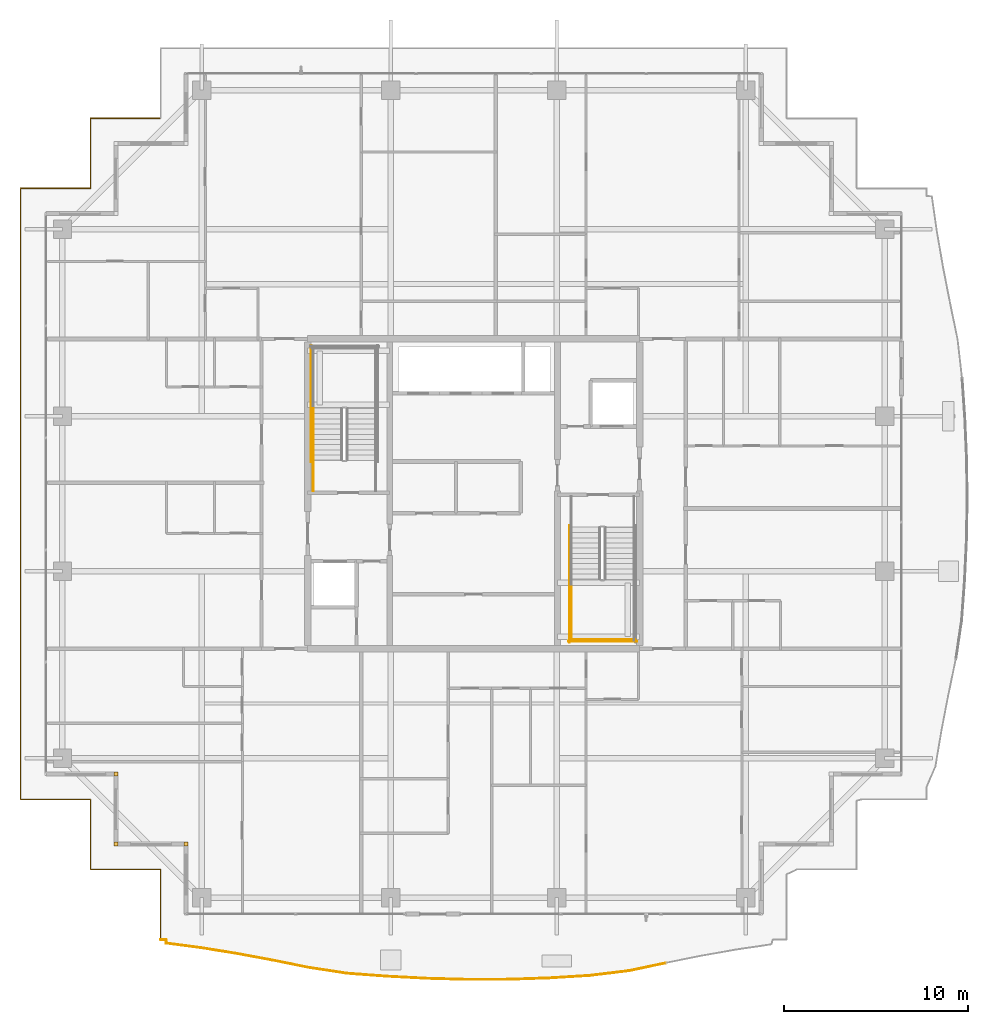
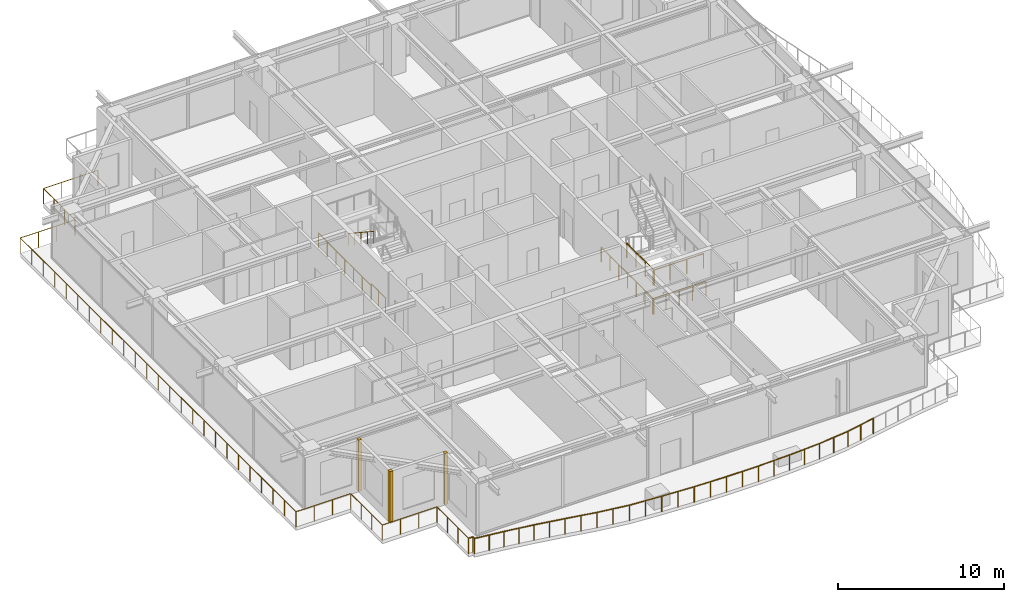
# One storey, part 38 of 42: 10 railings, 3 coverings.
"""IFC4 building model written with IfcOpenShell, lengths in metres."""

import ifcopenshell
import ifcopenshell.guid

model = None  # the IFC model being written
_history = None  # IfcOwnerHistory: only IFC2X3 demands one
_inside = {}  # id of a spatial element -> (the spatial element, [elements in it])
_under = {}  # id of a project, library or spatial element -> (it, [spatial elements below it])
_declared = {}  # id of a project -> (the project, [libraries it declares])
_typed = {}  # id of a type object -> (the type object, [elements of that type])
_made_of = {}  # id of a material, layer set ... -> (it, [elements and type objects made of it])


def new_model(schema):
    """Start an empty IFC model of exactly this schema.

    Asked for "IFC4X3", IfcOpenShell would pick the latest addendum, in which some entities
    have other attributes; the version numbers below select the first issue.
    IFC2X3 requires an IfcOwnerHistory on every rooted entity: one is made here for all.
    """
    global model, _history
    if schema == "IFC4X3":
        model = ifcopenshell.file(schema_version=(4, 3, 0, 0))
    else:
        model = ifcopenshell.file(schema=schema)
    _inside.clear()
    _under.clear()
    _declared.clear()
    _typed.clear()
    _made_of.clear()
    _history = None
    if model.schema == "IFC2X3":
        org = make("IfcOrganization", Name="unknown")
        user = make(
            "IfcPersonAndOrganization",
            ThePerson=make("IfcPerson", FamilyName="unknown"),
            TheOrganization=org,
        )
        app = make(
            "IfcApplication",
            ApplicationDeveloper=org,
            Version="unknown",
            ApplicationFullName="unknown",
            ApplicationIdentifier="unknown",
        )
        _history = make(
            "IfcOwnerHistory",
            OwningUser=user,
            OwningApplication=app,
            ChangeAction="ADDED",
            CreationDate=0,
        )
    return model


def make(cls, **values):
    """One entity of the class cls with the attributes given. An attribute that is None is left unset."""
    return model.create_entity(
        cls, **{name: value for name, value in values.items() if value is not None}
    )


def rooted(cls, **values):
    """An entity with a GlobalId (a new one), such as an element, a storey or a relation."""
    return make(cls, GlobalId=ifcopenshell.guid.new(), OwnerHistory=_history, **values)


def si_unit(unit_type, name, prefix=None):
    """IfcSIUnit, for example si_unit("LENGTHUNIT", "METRE", prefix="MILLI")."""
    return make("IfcSIUnit", UnitType=unit_type, Prefix=prefix, Name=name)


def assignment(units):
    """IfcUnitAssignment: the units of a project."""
    return None if units is None else make("IfcUnitAssignment", Units=units)


def point(xyz):
    """IfcCartesianPoint."""
    return None if xyz is None else make("IfcCartesianPoint", Coordinates=xyz)


def direction(xyz):
    """IfcDirection."""
    return None if xyz is None else make("IfcDirection", DirectionRatios=xyz)


def frame(location, z_axis=None, x_axis=None):
    """IfcAxis2Placement3D, a coordinate frame: its origin and axes. An axis left out is left unset."""
    return make(
        "IfcAxis2Placement3D",
        Location=point(location),
        Axis=direction(z_axis),
        RefDirection=direction(x_axis),
    )


def frame_2d(location, x_axis=None):
    """IfcAxis2Placement2D, a coordinate frame in the plane: its origin and x axis."""
    return make(
        "IfcAxis2Placement2D", Location=point(location), RefDirection=direction(x_axis)
    )


def origin():
    """The frame at (0, 0, 0) with its axes left unset."""
    return frame((0.0, 0.0, 0.0))


def origin_2d():
    """The frame at (0, 0) in the plane with its x axis left unset."""
    return frame_2d((0.0, 0.0))


def place(relative_to, where):
    """IfcLocalPlacement: puts the frame where relative to a parent placement (None: the world)."""
    return make(
        "IfcLocalPlacement", PlacementRelTo=relative_to, RelativePlacement=where
    )


def context(
    kind, dimensions, precision=None, world=None, true_north=None, identifier=None
):
    """IfcGeometricRepresentationContext, for example the 3D "Model" context."""
    return make(
        "IfcGeometricRepresentationContext",
        ContextIdentifier=identifier,
        ContextType=kind,
        CoordinateSpaceDimension=dimensions,
        Precision=precision,
        WorldCoordinateSystem=world,
        TrueNorth=true_north,
    )


def subcontext(parent, identifier, kind, view, scale=None):
    """IfcGeometricRepresentationSubContext, for example "Body" below "Model"."""
    return make(
        "IfcGeometricRepresentationSubContext",
        ContextIdentifier=identifier,
        ContextType=kind,
        ParentContext=parent,
        TargetScale=scale,
        TargetView=view,
    )


def project(units=None, contexts=None):
    """IfcProject with its units and contexts."""
    return rooted(
        "IfcProject",
        Name="project",
        RepresentationContexts=contexts,
        UnitsInContext=assignment(units),
    )


def spatial(cls, under=None, at=None, **own):
    """A site, building, storey or space (cls), placed at a placement, below another one or the project."""
    s = rooted(cls, ObjectPlacement=at, **own)
    if under is not None:
        _under.setdefault(under.id(), (under, []))[1].append(s)
    return s


def profile(cls, at=None, kind="AREA", **sizes):
    """A parametric profile (cls). Its sizes go by their IFC names, for example OverallWidth=200.0."""
    return make(cls, ProfileType=kind, Position=at, **sizes)


def rectangle(**sizes):
    """IfcRectangleProfileDef."""
    return profile("IfcRectangleProfileDef", **sizes)


def circle(**sizes):
    """IfcCircleProfileDef."""
    return profile("IfcCircleProfileDef", **sizes)


def extrude(swept, where, along, depth):
    """IfcExtrudedAreaSolid: the profile swept, set in the frame where, extruded along a direction by depth."""
    return make(
        "IfcExtrudedAreaSolid",
        SweptArea=swept,
        Position=where,
        ExtrudedDirection=direction(along),
        Depth=depth,
    )


def shape(context_of_items, identifier, shape_type, items):
    """IfcShapeRepresentation: the items that make up one representation, for example the "Body"."""
    return make(
        "IfcShapeRepresentation",
        ContextOfItems=context_of_items,
        RepresentationIdentifier=identifier,
        RepresentationType=shape_type,
        Items=items,
    )


def source(mapping_origin, context_of_items, identifier, shape_type, items):
    """IfcRepresentationMap: a shape defined once, which mapped items show again and again."""
    return make(
        "IfcRepresentationMap",
        MappingOrigin=mapping_origin,
        MappedRepresentation=shape(context_of_items, identifier, shape_type, items),
    )


def transform(
    local_origin,
    x_axis=None,
    y_axis=None,
    z_axis=None,
    scale=None,
    scale2=None,
    scale3=None,
    uniform=True,
):
    """IfcCartesianTransformationOperator3D, or its non-uniform kind. x_axis, y_axis, z_axis: its Axis1, 2, 3."""
    if uniform:
        return make(
            "IfcCartesianTransformationOperator3D",
            Axis1=direction(x_axis),
            Axis2=direction(y_axis),
            LocalOrigin=point(local_origin),
            Scale=scale,
            Axis3=direction(z_axis),
        )
    return make(
        "IfcCartesianTransformationOperator3DnonUniform",
        Axis1=direction(x_axis),
        Axis2=direction(y_axis),
        LocalOrigin=point(local_origin),
        Scale=scale,
        Axis3=direction(z_axis),
        Scale2=scale2,
        Scale3=scale3,
    )


def mapped(mapping_source, mapping_target):
    """IfcMappedItem: shows the shape of a source again, moved by a transform."""
    return make(
        "IfcMappedItem", MappingSource=mapping_source, MappingTarget=mapping_target
    )


def material(Name=None, Category=None):
    """IfcMaterial."""
    return make("IfcMaterial", Name=Name, Category=Category)


def layer(
    of_material, thickness, ventilated=None, Name=None, Category=None, Priority=None
):
    """IfcMaterialLayer: one layer of a wall or slab, of a material (None: an air gap)."""
    return make(
        "IfcMaterialLayer",
        Material=of_material,
        LayerThickness=thickness,
        IsVentilated=ventilated,
        Name=Name,
        Category=Category,
        Priority=Priority,
    )


def layer_set(layers, Name=None):
    """IfcMaterialLayerSet."""
    return make("IfcMaterialLayerSet", MaterialLayers=layers, LayerSetName=Name)


def made_of(thing, what):
    """Note that an element or type object is made of a material, layer set ...; save() writes the relation."""
    if what is not None:
        _made_of.setdefault(what.id(), (what, []))[1].append(thing)
    return thing


def type_object(cls, material=None, **own):
    """A type object (cls), such as IfcWallType, which elements share."""
    return made_of(rooted(cls, **own), material)


def element(
    cls,
    number,
    at=None,
    inside=None,
    cuts=None,
    type_object=None,
    material=None,
    context=None,
    identifier="Body",
    shape_type=None,
    held_by="IfcProductDefinitionShape",
    body=None,
    shapes=None,
    **own,
):
    """One element of the class cls, such as IfcWall. Its Tag is "e" and its number.

    at: its placement. inside: the storey or other place that contains it. cuts: it is an
    opening in that element (IfcRelVoidsElement). A single representation is given by context,
    identifier, shape_type and body (its items); several are given by shapes. held_by: the class
    of the entity that holds the representations. save() writes the other relations.
    """
    e = rooted(cls, Tag="e%d" % number, ObjectPlacement=at, **own)
    if body is not None:
        shapes = [shape(context, identifier, shape_type, body)]
    if shapes is not None:
        e.Representation = make(held_by, Representations=shapes)
    if inside is not None:
        _inside.setdefault(inside.id(), (inside, []))[1].append(e)
    if cuts is not None:
        rooted(
            "IfcRelVoidsElement", RelatingBuildingElement=cuts, RelatedOpeningElement=e
        )
    if type_object is not None:
        _typed.setdefault(type_object.id(), (type_object, []))[1].append(e)
    return made_of(e, material)


def aggregate(whole, parts):
    """IfcRelAggregates: a whole, such as a stair, and the parts it consists of."""
    return rooted("IfcRelAggregates", RelatingObject=whole, RelatedObjects=parts)


def save(model, path):
    """Write the relations noted so far, then the file.

    IfcRelAggregates (storeys below a building ...), IfcRelContainedInSpatialStructure (elements
    in a storey), IfcRelDefinesByType, IfcRelAssociatesMaterial and IfcRelDeclares: one each for
    every whole, place, type object, material and project.
    """
    for whole, parts in _under.values():
        aggregate(whole, parts)
    for where, things in _inside.values():
        rooted(
            "IfcRelContainedInSpatialStructure",
            RelatedElements=things,
            RelatingStructure=where,
        )
    for kind, things in _typed.values():
        rooted("IfcRelDefinesByType", RelatedObjects=things, RelatingType=kind)
    for what, things in _made_of.values():
        rooted("IfcRelAssociatesMaterial", RelatedObjects=things, RelatingMaterial=what)
    for by, libraries in _declared.values():
        rooted("IfcRelDeclares", RelatingContext=by, RelatedDefinitions=libraries)
    model.write(path)


model = new_model("IFC4")

# Units and contexts
model_context = context("Model", 3, precision=1e-05, world=origin(), true_north=direction((0.0, 1.0)))
body_context = subcontext(model_context, "Body", "Model", "MODEL_VIEW")
ifc_project = project(units=[si_unit("LENGTHUNIT", "METRE"), si_unit("AREAUNIT", "SQUARE_METRE"), si_unit("VOLUMEUNIT", "CUBIC_METRE"), si_unit("PLANEANGLEUNIT", "RADIAN"), si_unit("MASSUNIT", "GRAM", prefix="KILO")], contexts=[model_context])

# Site, building, storey
site_placement = place(None, origin())
site = spatial("IfcSite", under=ifc_project, at=site_placement, CompositionType="ELEMENT")
building_placement = place(site_placement, origin())
building = spatial("IfcBuilding", under=site, at=building_placement, Name="Serunith Strait Residences", CompositionType="ELEMENT")
storey_placement = place(building_placement, frame((0.0, 0.0, 325.85009765625)))
storey = spatial("IfcBuildingStorey", under=building, at=storey_placement, Name="L81", CompositionType="ELEMENT", Elevation=325.85009765625)

# Railings
ifc_material_1 = material(Name="Stainless Steel & Laminated Glass Balustrade", Category="steel")
railing_type_1 = type_object("IfcRailingType", Name="RLG-BALC-1150", PredefinedType="BALUSTRADE", material=ifc_material_1)
railing_1_placement = place(storey_placement, frame((15.419921875, 1.02001953125, -0.050048828125)))
element("IfcRailing", 1, at=railing_1_placement, inside=storey, type_object=railing_type_1, Name="L81 Swirling Balcony Perimeter Balustrade 1", PredefinedType="BALUSTRADE", context=body_context, shape_type="SweptSolid", body=[
    extrude(circle(Radius=0.02392578125, at=origin_2d()), frame((0.0, 0.001953125, 1.1259765625), z_axis=(0.0, 1.0, 0.0), x_axis=(-1.0, 0.0, 0.0)), (0.0, 0.0, 1.0), 3.796142578125),
    extrude(circle(Radius=0.02392578125, at=origin_2d()), frame((-0.001953125, 3.800048828125, 1.1259765625), z_axis=(-1.0, 0.0, 0.0), x_axis=(0.0, -1.0, 0.0)), (0.0, 0.0, 1.0), 3.7958984375),
    extrude(circle(Radius=0.02392578125, at=origin_2d()), frame((-3.7998046875, 3.802001953125, 1.1259765625), z_axis=(0.0, 1.0, 0.0), x_axis=(-1.0, 0.0, 0.0)), (0.0, 0.0, 1.0), 3.796142578125),
    extrude(circle(Radius=0.02392578125, at=origin_2d()), frame((-3.8017578125, 7.60009765625, 1.1259765625), z_axis=(-1.0, 0.0, 0.0), x_axis=(0.0, -1.0, 0.0)), (0.0, 0.0, 1.0), 3.796142578125),
    extrude(circle(Radius=0.02392578125, at=origin_2d()), frame((-7.599853515625, 7.60205078125, 1.1259765625), z_axis=(0.0, 1.0, 0.0), x_axis=(-1.0, 0.0, 0.0)), (0.0, 0.0, 1.0), 33.156005859375),
    extrude(circle(Radius=0.02392578125, at=origin_2d()), frame((-7.597900390625, 40.760009765625, 1.1259765625), z_axis=(1.0, 0.0, 0.0), x_axis=(0.0, 1.0, 0.0)), (0.0, 0.0, 1.0), 3.796142578125),
    extrude(circle(Radius=0.02392578125, at=origin_2d()), frame((-3.7998046875, 40.761962890625, 1.1259765625), z_axis=(0.0, 1.0, 0.0), x_axis=(-1.0, 0.0, 0.0)), (0.0, 0.0, 1.0), 3.796142578125),
    extrude(circle(Radius=0.02392578125, at=origin_2d()), frame((-3.7978515625, 44.56005859375, 1.1259765625), z_axis=(1.0, 0.0, 0.0), x_axis=(0.0, 1.0, 0.0)), (0.0, 0.0, 1.0), 3.783447265625),
    extrude(circle(Radius=0.02099609375, at=origin_2d()), origin(), (0.0, 0.0, 1.0), 1.099853515625),
    extrude(circle(Radius=0.02099609375, at=origin_2d()), frame((0.0, 1.2666015625, 0.0)), (0.0, 0.0, 1.0), 1.099853515625),
    extrude(circle(Radius=0.02099609375, at=origin_2d()), frame((0.0, 2.533447265625, 0.0)), (0.0, 0.0, 1.0), 1.099853515625),
    extrude(circle(Radius=0.02099609375, at=origin_2d()), frame((0.0, 3.800048828125, 0.0)), (0.0, 0.0, 1.0), 1.099853515625),
    extrude(circle(Radius=0.02099609375, at=origin_2d()), frame((-1.2666015625, 3.800048828125, 0.0)), (0.0, 0.0, 1.0), 1.099853515625),
    extrude(circle(Radius=0.02099609375, at=origin_2d()), frame((-2.533203125, 3.800048828125, 0.0)), (0.0, 0.0, 1.0), 1.099853515625),
    extrude(circle(Radius=0.02099609375, at=origin_2d()), frame((-3.7998046875, 3.800048828125, 0.0)), (0.0, 0.0, 1.0), 1.099853515625),
    extrude(circle(Radius=0.02099609375, at=origin_2d()), frame((-3.7998046875, 5.066650390625, 0.0)), (0.0, 0.0, 1.0), 1.099853515625),
    extrude(circle(Radius=0.02099609375, at=origin_2d()), frame((-3.7998046875, 6.33349609375, 0.0)), (0.0, 0.0, 1.0), 1.099853515625),
    extrude(circle(Radius=0.02099609375, at=origin_2d()), frame((-3.7998046875, 7.60009765625, 0.0)), (0.0, 0.0, 1.0), 1.099853515625),
    extrude(circle(Radius=0.02099609375, at=origin_2d()), frame((-5.06640625, 7.60009765625, 0.0)), (0.0, 0.0, 1.0), 1.099853515625),
    extrude(circle(Radius=0.02099609375, at=origin_2d()), frame((-6.333251953125, 7.60009765625, 0.0)), (0.0, 0.0, 1.0), 1.099853515625),
    extrude(circle(Radius=0.02099609375, at=origin_2d()), frame((-7.599853515625, 7.60009765625, 0.0)), (0.0, 0.0, 1.0), 1.099853515625),
    extrude(circle(Radius=0.02099609375, at=origin_2d()), frame((-7.599853515625, 8.981689453125, 0.0)), (0.0, 0.0, 1.0), 1.099853515625),
    extrude(circle(Radius=0.02099609375, at=origin_2d()), frame((-7.599853515625, 10.363525390625, 0.0)), (0.0, 0.0, 1.0), 1.099853515625),
    extrude(circle(Radius=0.02099609375, at=origin_2d()), frame((-7.599853515625, 11.7451171875, 0.0)), (0.0, 0.0, 1.0), 1.099853515625),
    extrude(circle(Radius=0.02099609375, at=origin_2d()), frame((-7.599853515625, 13.126708984375, 0.0)), (0.0, 0.0, 1.0), 1.099853515625),
    extrude(circle(Radius=0.02099609375, at=origin_2d()), frame((-7.599853515625, 14.50830078125, 0.0)), (0.0, 0.0, 1.0), 1.099853515625),
    extrude(circle(Radius=0.02099609375, at=origin_2d()), frame((-7.599853515625, 15.89013671875, 0.0)), (0.0, 0.0, 1.0), 1.099853515625),
    extrude(circle(Radius=0.02099609375, at=origin_2d()), frame((-7.599853515625, 17.271728515625, 0.0)), (0.0, 0.0, 1.0), 1.099853515625),
    extrude(circle(Radius=0.02099609375, at=origin_2d()), frame((-7.599853515625, 18.6533203125, 0.0)), (0.0, 0.0, 1.0), 1.099853515625),
    extrude(circle(Radius=0.02099609375, at=origin_2d()), frame((-7.599853515625, 20.03515625, 0.0)), (0.0, 0.0, 1.0), 1.099853515625),
    extrude(circle(Radius=0.02099609375, at=origin_2d()), frame((-7.599853515625, 21.416748046875, 0.0)), (0.0, 0.0, 1.0), 1.099853515625),
    extrude(circle(Radius=0.02099609375, at=origin_2d()), frame((-7.599853515625, 22.79833984375, 0.0)), (0.0, 0.0, 1.0), 1.099853515625),
    extrude(circle(Radius=0.02099609375, at=origin_2d()), frame((-7.599853515625, 24.18017578125, 0.0)), (0.0, 0.0, 1.0), 1.099853515625),
    extrude(circle(Radius=0.02099609375, at=origin_2d()), frame((-7.599853515625, 25.561767578125, 0.0)), (0.0, 0.0, 1.0), 1.099853515625),
    extrude(circle(Radius=0.02099609375, at=origin_2d()), frame((-7.599853515625, 26.943359375, 0.0)), (0.0, 0.0, 1.0), 1.099853515625),
    extrude(circle(Radius=0.02099609375, at=origin_2d()), frame((-7.599853515625, 28.324951171875, 0.0)), (0.0, 0.0, 1.0), 1.099853515625),
    extrude(circle(Radius=0.02099609375, at=origin_2d()), frame((-7.599853515625, 29.706787109375, 0.0)), (0.0, 0.0, 1.0), 1.099853515625),
    extrude(circle(Radius=0.02099609375, at=origin_2d()), frame((-7.599853515625, 31.08837890625, 0.0)), (0.0, 0.0, 1.0), 1.099853515625),
    extrude(circle(Radius=0.02099609375, at=origin_2d()), frame((-7.599853515625, 32.469970703125, 0.0)), (0.0, 0.0, 1.0), 1.099853515625),
    extrude(circle(Radius=0.02099609375, at=origin_2d()), frame((-7.599853515625, 33.851806640625, 0.0)), (0.0, 0.0, 1.0), 1.099853515625),
    extrude(circle(Radius=0.02099609375, at=origin_2d()), frame((-7.599853515625, 35.2333984375, 0.0)), (0.0, 0.0, 1.0), 1.099853515625),
    extrude(circle(Radius=0.02099609375, at=origin_2d()), frame((-7.599853515625, 36.614990234375, 0.0)), (0.0, 0.0, 1.0), 1.099853515625),
    extrude(circle(Radius=0.02099609375, at=origin_2d()), frame((-7.599853515625, 37.99658203125, 0.0)), (0.0, 0.0, 1.0), 1.099853515625),
    extrude(circle(Radius=0.02099609375, at=origin_2d()), frame((-7.599853515625, 39.37841796875, 0.0)), (0.0, 0.0, 1.0), 1.099853515625),
    extrude(circle(Radius=0.02099609375, at=origin_2d()), frame((-7.599853515625, 40.760009765625, 0.0)), (0.0, 0.0, 1.0), 1.099853515625),
    extrude(circle(Radius=0.02099609375, at=origin_2d()), frame((-6.333251953125, 40.760009765625, 0.0)), (0.0, 0.0, 1.0), 1.099853515625),
    extrude(circle(Radius=0.02099609375, at=origin_2d()), frame((-5.06640625, 40.760009765625, 0.0)), (0.0, 0.0, 1.0), 1.099853515625),
    extrude(circle(Radius=0.02099609375, at=origin_2d()), frame((-3.7998046875, 40.760009765625, 0.0)), (0.0, 0.0, 1.0), 1.099853515625),
    extrude(circle(Radius=0.02099609375, at=origin_2d()), frame((-3.7998046875, 42.026611328125, 0.0)), (0.0, 0.0, 1.0), 1.099853515625),
    extrude(circle(Radius=0.02099609375, at=origin_2d()), frame((-3.7998046875, 43.29345703125, 0.0)), (0.0, 0.0, 1.0), 1.099853515625),
    extrude(circle(Radius=0.02099609375, at=origin_2d()), frame((-3.7998046875, 44.56005859375, 0.0)), (0.0, 0.0, 1.0), 1.099853515625),
    extrude(circle(Radius=0.02099609375, at=origin_2d()), frame((-2.537353515625, 44.56005859375, 0.0)), (0.0, 0.0, 1.0), 1.099853515625),
    extrude(circle(Radius=0.02099609375, at=origin_2d()), frame((-1.27490234375, 44.56005859375, 0.0)), (0.0, 0.0, 1.0), 1.099853515625),
    extrude(circle(Radius=0.02099609375, at=origin_2d()), frame((-0.012451171875, 44.56005859375, 0.0)), (0.0, 0.0, 1.0), 1.099853515625),
])
railing_2_placement = place(storey_placement, frame((42.802001953125, -0.256103515625, -0.050048828125)))
element("IfcRailing", 2, at=railing_2_placement, inside=storey, type_object=railing_type_1, Name="L81 Swirling Balcony Perimeter Balustrade 7", PredefinedType="BALUSTRADE", context=body_context, shape_type="SweptSolid", body=[
    extrude(circle(Radius=0.02392578125, at=origin_2d()), frame((-0.001953125, -0.00048828125, 1.1259765625), z_axis=(-0.978558641863, -0.205968406398, 0.0), x_axis=(0.205968406398, -0.978558641863, 0.0)), (0.0, 0.0, 1.0), 2.04296875),
    extrude(circle(Radius=0.02392578125, at=origin_2d()), frame((-2.005126953125, -0.421875, 1.1259765625), z_axis=(-0.992935306445, -0.118656972887, 0.0), x_axis=(0.118656972887, -0.992935306445, 0.0)), (0.0, 0.0, 1.0), 2.12548828125),
    extrude(circle(Radius=0.02392578125, at=origin_2d()), frame((-4.11962890625, -0.674560546875, 1.1259765625), z_axis=(-0.998086856361, -0.061827398127, 0.0), x_axis=(0.061827398127, -0.998086856361, 0.0)), (0.0, 0.0, 1.0), 2.17578125),
    extrude(circle(Radius=0.02392578125, at=origin_2d()), frame((-6.295166015625, -0.80908203125, 1.1259765625), z_axis=(-0.999429058018, -0.033786949977, 0.0), x_axis=(0.033786949977, -0.999429058018, 0.0)), (0.0, 0.0, 1.0), 2.199951171875),
    extrude(circle(Radius=0.02392578125, at=origin_2d()), frame((-8.497802734375, -0.883544921875, 1.1259765625), z_axis=(-0.99999523494, -0.003087085621, 0.0), x_axis=(0.003087085621, -0.99999523494, 0.0)), (0.0, 0.0, 1.0), 2.21044921875),
    extrude(circle(Radius=0.02392578125, at=origin_2d()), frame((-10.712158203125, -0.890380859375, 1.1259765625), z_axis=(-0.999645457833, 0.026626277115, 0.0), x_axis=(-0.026626277115, -0.999645457833, 0.0)), (0.0, 0.0, 1.0), 2.205810546875),
    extrude(circle(Radius=0.02392578125, at=origin_2d()), frame((-12.921142578125, -0.83154296875, 1.1259765625), z_axis=(-0.998605805477, 0.052786790654, 0.0), x_axis=(-0.052786790654, -0.998605805477, 0.0)), (0.0, 0.0, 1.0), 2.188232421875),
    extrude(circle(Radius=0.02099609375, at=origin_2d()), origin(), (0.0, 0.0, 1.0), 1.099853515625),
    extrude(circle(Radius=0.02099609375, at=origin_2d()), frame((-1.00146484375, -0.2109375, 0.0)), (0.0, 0.0, 1.0), 1.099853515625),
    extrude(circle(Radius=0.02099609375, at=origin_2d()), frame((-2.003173828125, -0.421630859375, 0.0)), (0.0, 0.0, 1.0), 1.099853515625),
    extrude(circle(Radius=0.02099609375, at=origin_2d()), frame((-3.060546875, -0.5478515625, 0.0)), (0.0, 0.0, 1.0), 1.099853515625),
    extrude(circle(Radius=0.02099609375, at=origin_2d()), frame((-4.11767578125, -0.67431640625, 0.0)), (0.0, 0.0, 1.0), 1.099853515625),
    extrude(circle(Radius=0.02099609375, at=origin_2d()), frame((-5.20556640625, -0.74169921875, 0.0)), (0.0, 0.0, 1.0), 1.099853515625),
    extrude(circle(Radius=0.02099609375, at=origin_2d()), frame((-6.293212890625, -0.80908203125, 0.0)), (0.0, 0.0, 1.0), 1.099853515625),
    extrude(circle(Radius=0.02099609375, at=origin_2d()), frame((-7.39453125, -0.84619140625, 0.0)), (0.0, 0.0, 1.0), 1.099853515625),
    extrude(circle(Radius=0.02099609375, at=origin_2d()), frame((-8.495849609375, -0.883544921875, 0.0)), (0.0, 0.0, 1.0), 1.099853515625),
    extrude(circle(Radius=0.02099609375, at=origin_2d()), frame((-9.60302734375, -0.886962890625, 0.0)), (0.0, 0.0, 1.0), 1.099853515625),
    extrude(circle(Radius=0.02099609375, at=origin_2d()), frame((-10.710205078125, -0.890380859375, 0.0)), (0.0, 0.0, 1.0), 1.099853515625),
    extrude(circle(Radius=0.02099609375, at=origin_2d()), frame((-11.814697265625, -0.86083984375, 0.0)), (0.0, 0.0, 1.0), 1.099853515625),
    extrude(circle(Radius=0.02099609375, at=origin_2d()), frame((-12.919189453125, -0.83154296875, 0.0)), (0.0, 0.0, 1.0), 1.099853515625),
    extrude(circle(Radius=0.02099609375, at=origin_2d()), frame((-14.013671875, -0.773681640625, 0.0)), (0.0, 0.0, 1.0), 1.099853515625),
    extrude(circle(Radius=0.02099609375, at=origin_2d()), frame((-15.1083984375, -0.7158203125, 0.0)), (0.0, 0.0, 1.0), 1.099853515625),
])
railing_3_placement = place(storey_placement, frame((27.693603515625, -0.971923828125, -0.050048828125)))
element("IfcRailing", 3, at=railing_3_placement, inside=storey, type_object=railing_type_1, Name="L81 Swirling Balcony Perimeter Balustrade 8", PredefinedType="BALUSTRADE", context=body_context, shape_type="SweptSolid", body=[
    extrude(circle(Radius=0.02392578125, at=origin_2d()), frame((-0.001953125, 0.000244140625, 1.1259765625), z_axis=(-0.997282204337, 0.073676352464, 0.0), x_axis=(-0.073676352464, -0.997282204337, 0.0)), (0.0, 0.0, 1.0), 2.159912109375),
    extrude(circle(Radius=0.02392578125, at=origin_2d()), frame((-2.159912109375, 0.15966796875, 1.1259765625), z_axis=(-0.988481628367, 0.151340907824, 0.0), x_axis=(-0.151340907824, -0.988481628367, 0.0)), (0.0, 0.0, 1.0), 2.096435546875),
    extrude(circle(Radius=0.02392578125, at=origin_2d()), frame((-4.236083984375, 0.477783203125, 1.1259765625), z_axis=(-0.980297076649, 0.197528837167, 0.0), x_axis=(-0.197528837167, -0.980297076649, 0.0)), (0.0, 0.0, 1.0), 2.02294921875),
    extrude(circle(Radius=0.02392578125, at=origin_2d()), frame((-6.22314453125, 0.878173828125, 1.1259765625), z_axis=(-0.983092776762, 0.183108143671, 0.0), x_axis=(-0.183108143671, -0.983092776762, 0.0)), (0.0, 0.0, 1.0), 1.96923828125),
    extrude(circle(Radius=0.02392578125, at=origin_2d()), frame((-8.1630859375, 1.2392578125, 1.1259765625), z_axis=(-0.987357873292, 0.158506876977, 0.0), x_axis=(-0.158506876977, -0.987357873292, 0.0)), (0.0, 0.0, 1.0), 1.93212890625),
    extrude(circle(Radius=0.02392578125, at=origin_2d()), frame((-10.07470703125, 1.546142578125, 1.1259765625), z_axis=(-0.991428244687, 0.130652346465, 0.0), x_axis=(-0.130652346465, -0.991428244687, 0.0)), (0.0, 0.0, 1.0), 1.911376953125),
    extrude(circle(Radius=0.02392578125, at=origin_2d()), frame((-11.9716796875, 1.798095703125, 1.1259765625), z_axis=(0.007481087404, 0.999972016274, 0.0), x_axis=(-0.999972016274, 0.007481087404, 0.0)), (0.0, 0.0, 1.0), 0.19189453125),
    extrude(circle(Radius=0.02392578125, at=origin_2d()), frame((-11.97216796875, 1.991943359375, 1.1259765625), z_axis=(-1.0, 0.0, 0.0), x_axis=(0.0, -1.0, 0.0)), (0.0, 0.0, 1.0), 0.299560546875),
    extrude(circle(Radius=0.02099609375, at=origin_2d()), origin(), (0.0, 0.0, 1.0), 1.099853515625),
    extrude(circle(Radius=0.02099609375, at=origin_2d()), frame((-1.0791015625, 0.07958984375, 0.0)), (0.0, 0.0, 1.0), 1.099853515625),
    extrude(circle(Radius=0.02099609375, at=origin_2d()), frame((-2.157958984375, 0.159423828125, 0.0)), (0.0, 0.0, 1.0), 1.099853515625),
    extrude(circle(Radius=0.02099609375, at=origin_2d()), frame((-3.196044921875, 0.318359375, 0.0)), (0.0, 0.0, 1.0), 1.099853515625),
    extrude(circle(Radius=0.02099609375, at=origin_2d()), frame((-4.234130859375, 0.477294921875, 0.0)), (0.0, 0.0, 1.0), 1.099853515625),
    extrude(circle(Radius=0.02099609375, at=origin_2d()), frame((-5.2275390625, 0.677490234375, 0.0)), (0.0, 0.0, 1.0), 1.099853515625),
    extrude(circle(Radius=0.02099609375, at=origin_2d()), frame((-6.22119140625, 0.877685546875, 0.0)), (0.0, 0.0, 1.0), 1.099853515625),
    extrude(circle(Radius=0.02099609375, at=origin_2d()), frame((-7.191162109375, 1.058349609375, 0.0)), (0.0, 0.0, 1.0), 1.099853515625),
    extrude(circle(Radius=0.02099609375, at=origin_2d()), frame((-8.1611328125, 1.239013671875, 0.0)), (0.0, 0.0, 1.0), 1.099853515625),
    extrude(circle(Radius=0.02099609375, at=origin_2d()), frame((-9.116943359375, 1.392578125, 0.0)), (0.0, 0.0, 1.0), 1.099853515625),
    extrude(circle(Radius=0.02099609375, at=origin_2d()), frame((-10.07275390625, 1.5458984375, 0.0)), (0.0, 0.0, 1.0), 1.099853515625),
    extrude(circle(Radius=0.02099609375, at=origin_2d()), frame((-11.022216796875, 1.6708984375, 0.0)), (0.0, 0.0, 1.0), 1.099853515625),
    extrude(circle(Radius=0.02099609375, at=origin_2d()), frame((-11.9716796875, 1.796142578125, 0.0)), (0.0, 0.0, 1.0), 1.099853515625),
    extrude(circle(Radius=0.02099609375, at=origin_2d()), frame((-11.97021484375, 1.991943359375, 0.0)), (0.0, 0.0, 1.0), 1.099853515625),
    extrude(circle(Radius=0.02099609375, at=origin_2d()), frame((-12.273681640625, 1.991943359375, 0.0)), (0.0, 0.0, 1.0), 1.099853515625),
])
ifc_material_2 = material(Name="Brushed stainless steel 316L", Category="steel")
railing_type_2 = type_object("IfcRailingType", Name="RLG-STAIR-GUARD", PredefinedType="BALUSTRADE", material=ifc_material_2)
railing_4_placement = place(storey_placement, frame((23.699951171875, 25.35009765625, 0.0)))
element("IfcRailing", 4, at=railing_4_placement, inside=storey, type_object=railing_type_2, Name="L81 ST-1 stair guard 9", PredefinedType="BALUSTRADE", context=body_context, shape_type="SweptSolid", body=[
    extrude(circle(Radius=0.02392578125, at=origin_2d()), frame((0.0, 0.001953125, 1.076171875), z_axis=(0.0, 1.0, 0.0), x_axis=(-1.0, 0.0, 0.0)), (0.0, 0.0, 1.0), 1.676025390625),
    extrude(circle(Radius=0.02099609375, at=origin_2d()), origin(), (0.0, 0.0, 1.0), 1.050048828125),
    extrude(circle(Radius=0.02099609375, at=origin_2d()), frame((0.0, 0.83984375, 0.0)), (0.0, 0.0, 1.0), 1.050048828125),
    extrude(circle(Radius=0.02099609375, at=origin_2d()), frame((0.0, 1.679931640625, 0.0)), (0.0, 0.0, 1.0), 1.050048828125),
])
railing_5_placement = place(storey_placement, frame((23.60009765625, 26.929931640625, 0.0)))
element("IfcRailing", 5, at=railing_5_placement, inside=storey, type_object=railing_type_2, Name="L81 ST-1 stair guard 11", PredefinedType="BALUSTRADE", context=body_context, shape_type="SweptSolid", body=[
    extrude(circle(Radius=0.02392578125, at=origin_2d()), frame((0.0, 0.001953125, 1.076171875), z_axis=(0.0, 1.0, 0.0), x_axis=(-1.0, 0.0, 0.0)), (0.0, 0.0, 1.0), 6.316162109375),
    extrude(circle(Radius=0.02099609375, at=origin_2d()), origin(), (0.0, 0.0, 1.0), 1.050048828125),
    extrude(circle(Radius=0.02099609375, at=origin_2d()), frame((0.0, 1.05322265625, 0.0)), (0.0, 0.0, 1.0), 1.050048828125),
    extrude(circle(Radius=0.02099609375, at=origin_2d()), frame((0.0, 2.106689453125, 0.0)), (0.0, 0.0, 1.0), 1.050048828125),
    extrude(circle(Radius=0.02099609375, at=origin_2d()), frame((0.0, 3.16015625, 0.0)), (0.0, 0.0, 1.0), 1.050048828125),
    extrude(circle(Radius=0.02099609375, at=origin_2d()), frame((0.0, 4.21337890625, 0.0)), (0.0, 0.0, 1.0), 1.050048828125),
    extrude(circle(Radius=0.02099609375, at=origin_2d()), frame((0.0, 5.2666015625, 0.0)), (0.0, 0.0, 1.0), 1.050048828125),
    extrude(circle(Radius=0.02099609375, at=origin_2d()), frame((0.0, 6.320068359375, 0.0)), (0.0, 0.0, 1.0), 1.050048828125),
])
railing_6_placement = place(storey_placement, frame((37.699951171875, 20.570068359375, 2.02490234375)))
element("IfcRailing", 6, at=railing_6_placement, inside=storey, type_object=railing_type_2, Name="L81 ST-2 stair guard 3", PredefinedType="BALUSTRADE", context=body_context, shape_type="SweptSolid", body=[
    extrude(circle(Radius=0.02392578125, at=origin_2d()), frame((0.0, -0.001953125, 1.076171875), z_axis=(0.0, -1.0, 0.0), x_axis=(1.0, 0.0, 0.0)), (0.0, 0.0, 1.0), 3.316162109375),
    extrude(circle(Radius=0.02099609375, at=origin_2d()), origin(), (0.0, 0.0, 1.0), 1.050048828125),
    extrude(circle(Radius=0.02099609375, at=origin_2d()), frame((0.0, -1.106689453125, 0.0)), (0.0, 0.0, 1.0), 1.050048828125),
    extrude(circle(Radius=0.02099609375, at=origin_2d()), frame((0.0, -2.21337890625, 0.0)), (0.0, 0.0, 1.0), 1.050048828125),
    extrude(circle(Radius=0.02099609375, at=origin_2d()), frame((0.0, -3.320068359375, 0.0)), (0.0, 0.0, 1.0), 1.050048828125),
])
railing_7_placement = place(storey_placement, frame((37.64990234375, 17.300048828125, 2.02490234375)))
element("IfcRailing", 7, at=railing_7_placement, inside=storey, type_object=railing_type_2, Name="L81 ST-2 stair guard 5", PredefinedType="BALUSTRADE", context=body_context, shape_type="SweptSolid", body=[
    extrude(circle(Radius=0.02392578125, at=origin_2d()), frame((0.001953125, 0.0, 1.076171875), z_axis=(1.0, 0.0, 0.0), x_axis=(0.0, 1.0, 0.0)), (0.0, 0.0, 1.0), 3.49609375),
    extrude(circle(Radius=0.02099609375, at=origin_2d()), origin(), (0.0, 0.0, 1.0), 1.050048828125),
    extrude(circle(Radius=0.02099609375, at=origin_2d()), frame((1.166748046875, 0.0, 0.0)), (0.0, 0.0, 1.0), 1.050048828125),
    extrude(circle(Radius=0.02099609375, at=origin_2d()), frame((2.333251953125, 0.0, 0.0)), (0.0, 0.0, 1.0), 1.050048828125),
    extrude(circle(Radius=0.02099609375, at=origin_2d()), frame((3.5, 0.0, 0.0)), (0.0, 0.0, 1.0), 1.050048828125),
])
railing_8_placement = place(storey_placement, frame((37.60009765625, 23.469970703125, 0.0)))
element("IfcRailing", 8, at=railing_8_placement, inside=storey, type_object=railing_type_2, Name="L81 ST-2 stair guard 10", PredefinedType="BALUSTRADE", context=body_context, shape_type="SweptSolid", body=[
    extrude(circle(Radius=0.02392578125, at=origin_2d()), frame((0.0, -0.001953125, 1.076171875), z_axis=(0.0, -1.0, 0.0), x_axis=(1.0, 0.0, 0.0)), (0.0, 0.0, 1.0), 6.316162109375),
    extrude(circle(Radius=0.02099609375, at=origin_2d()), origin(), (0.0, 0.0, 1.0), 1.050048828125),
    extrude(circle(Radius=0.02099609375, at=origin_2d()), frame((0.0, -1.05322265625, 0.0)), (0.0, 0.0, 1.0), 1.050048828125),
    extrude(circle(Radius=0.02099609375, at=origin_2d()), frame((0.0, -2.106689453125, 0.0)), (0.0, 0.0, 1.0), 1.050048828125),
    extrude(circle(Radius=0.02099609375, at=origin_2d()), frame((0.0, -3.16015625, 0.0)), (0.0, 0.0, 1.0), 1.050048828125),
    extrude(circle(Radius=0.02099609375, at=origin_2d()), frame((0.0, -4.21337890625, 0.0)), (0.0, 0.0, 1.0), 1.050048828125),
    extrude(circle(Radius=0.02099609375, at=origin_2d()), frame((0.0, -5.2666015625, 0.0)), (0.0, 0.0, 1.0), 1.050048828125),
    extrude(circle(Radius=0.02099609375, at=origin_2d()), frame((0.0, -6.320068359375, 0.0)), (0.0, 0.0, 1.0), 1.050048828125),
])
railing_9_placement = place(storey_placement, frame((37.550048828125, 17.199951171875, 0.0)))
element("IfcRailing", 9, at=railing_9_placement, inside=storey, type_object=railing_type_2, Name="L81 ST-2 stair guard 12", PredefinedType="BALUSTRADE", context=body_context, shape_type="SweptSolid", body=[
    extrude(circle(Radius=0.02392578125, at=origin_2d()), frame((0.001953125, 0.0, 1.076171875), z_axis=(1.0, 0.0, 0.0), x_axis=(0.0, 1.0, 0.0)), (0.0, 0.0, 1.0), 3.696044921875),
    extrude(circle(Radius=0.02099609375, at=origin_2d()), origin(), (0.0, 0.0, 1.0), 1.050048828125),
    extrude(circle(Radius=0.02099609375, at=origin_2d()), frame((0.925048828125, 0.0, 0.0)), (0.0, 0.0, 1.0), 1.050048828125),
    extrude(circle(Radius=0.02099609375, at=origin_2d()), frame((1.85009765625, 0.0, 0.0)), (0.0, 0.0, 1.0), 1.050048828125),
    extrude(circle(Radius=0.02099609375, at=origin_2d()), frame((2.77490234375, 0.0, 0.0)), (0.0, 0.0, 1.0), 1.050048828125),
    extrude(circle(Radius=0.02099609375, at=origin_2d()), frame((3.699951171875, 0.0, 0.0)), (0.0, 0.0, 1.0), 1.050048828125),
])
railing_type_3 = type_object("IfcRailingType", Name="RLG-STAIR-HR", PredefinedType="HANDRAIL", material=ifc_material_2)
railing_10_placement = place(storey_placement, frame((23.699951171875, 29.830078125, 2.208984375)))
element("IfcRailing", 10, at=railing_10_placement, inside=storey, type_object=railing_type_3, Name="L81 ST-1 stair handrail 2", PredefinedType="HANDRAIL", context=body_context, shape_type="SweptSolid", body=[
    extrude(circle(Radius=0.02392578125, at=origin_2d()), frame((0.0, -0.001708984375, 0.876953125), z_axis=(0.0, -0.83496096917, 0.550309167616), x_axis=(1.0, 0.0, 0.0)), (0.0, 0.0, 1.0), 3.684814453125),
    extrude(circle(Radius=0.02099609375, at=origin_2d()), origin(), (0.0, 0.0, 1.0), 0.849853515625),
    extrude(circle(Radius=0.02099609375, at=origin_2d()), frame((0.0, -0.77001953125, 0.507568359375)), (0.0, 0.0, 1.0), 0.849853515625),
    extrude(circle(Radius=0.02099609375, at=origin_2d()), frame((0.0, -1.5400390625, 1.01513671875)), (0.0, 0.0, 1.0), 0.849853515625),
    extrude(circle(Radius=0.02099609375, at=origin_2d()), frame((0.0, -2.31005859375, 1.5224609375)), (0.0, 0.0, 1.0), 0.849853515625),
    extrude(circle(Radius=0.02099609375, at=origin_2d()), frame((0.0, -3.080078125, 2.030029296875)), (0.0, 0.0, 1.0), 0.849853515625),
])

# Coverings
ifc_material_3 = material(Name="Pale-Champagne Anodised Aluminium", Category="aluminium")
ifc_layer = layer(ifc_material_3, 0.219970703125, Name="Pale-Champagne Anodised Aluminium")
ifc_layer_set = layer_set([ifc_layer], Name="Pale-Champagne Anodised Aluminium")
covering_type = type_object("IfcCoveringType", Name="COV-CORN-TRIM", PredefinedType="CLADDING", material=ifc_layer_set)
shared_shape = source(origin(), body_context, "Body", "SweptSolid", [
    extrude(rectangle(XDim=0.221923828125, YDim=0.221923828125, at=origin_2d()), origin(), (0.0, 0.0, 1.0), 3.77490234375),
])
for number, where, z_axis, x_axis, name in (
    (11, (13.0, 10.0, 0.0), (0.0, 0.0, 1.0), (1.0, 0.0, 0.0), "L81 Girih Serrated Corner Trim Post 17"),
    (12, (13.0, 6.199951171875, 0.0), (0.0, 0.0, 1.0), (1.0, 0.0, 0.0), "L81 Girih Serrated Corner Trim Post 18"),
    (13, (16.800048828125, 6.199951171875, 0.0), (0.0, 0.0, 1.0), (1.0, 0.0, 0.0), "L81 Girih Serrated Corner Trim Post 19"),
):
    element("IfcCovering", number, at=place(storey_placement, frame(where, z_axis=z_axis, x_axis=x_axis)), inside=storey, type_object=covering_type, Name=name, PredefinedType="CLADDING", context=body_context, shape_type="MappedRepresentation", body=[
        mapped(shared_shape, transform((0.0, 0.0, 0.0), scale=1.0)),
    ])

save(model, "model.ifc")
